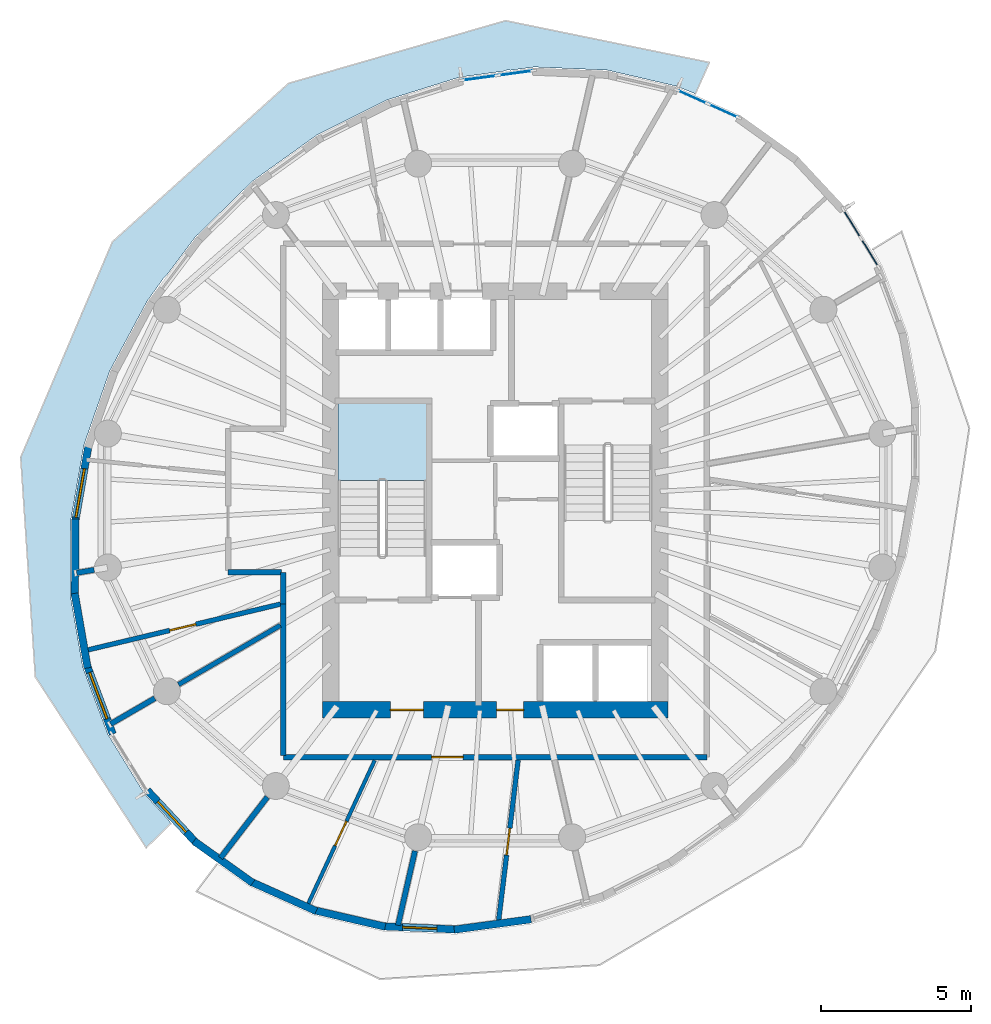
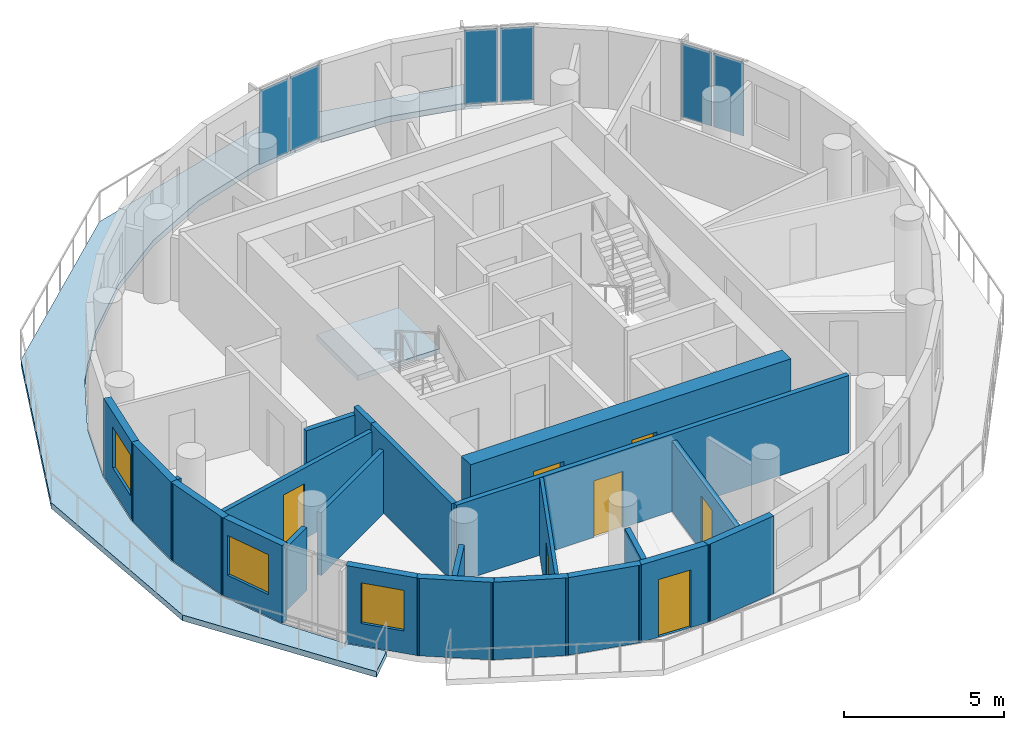
# One storey, part 4 of 10: 23 walls, 7 doors, 6 plates, 3 windows, 2 slabs, 10 openings, 4 elements without a shape of their own.
"""IFC4 building model written with IfcOpenShell, lengths in metres."""

from ifc_helpers import new_model, si_unit, direction, frame, frame_2d, origin, origin_2d, place, context, subcontext, project, spatial, polyline, rectangle, outline, extrude, material, layer, layer_set, type_object, element, fill, aggregate, save


model = new_model("IFC4")

# Units and contexts
model_context = context("Model", 3, precision=1e-05, world=origin(), true_north=direction((0.0, 1.0)))
body_context = subcontext(model_context, "Body", "Model", "MODEL_VIEW")
ifc_project = project(units=[si_unit("LENGTHUNIT", "METRE"), si_unit("AREAUNIT", "SQUARE_METRE"), si_unit("VOLUMEUNIT", "CUBIC_METRE"), si_unit("PLANEANGLEUNIT", "RADIAN"), si_unit("MASSUNIT", "GRAM", prefix="KILO")], contexts=[model_context])

# Site, building, storey
site_placement = place(None, origin())
site = spatial("IfcSite", under=ifc_project, at=site_placement, CompositionType="ELEMENT")
building_placement = place(site_placement, origin())
building = spatial("IfcBuilding", under=site, at=building_placement, Name="Veldorim Arch Residences", CompositionType="ELEMENT")
storey_placement = place(building_placement, frame((0.0, 0.0, 198.239990234375)))
storey = spatial("IfcBuildingStorey", under=building, at=storey_placement, Name="L59", CompositionType="ELEMENT", Elevation=198.239990234375)

# Slab
ifc_material_1 = material(Name="Concrete C40/50", Category="concrete")
ifc_layer_1 = layer(ifc_material_1, 0.219970703125, Name="Planted Crescent Cantilever Balcony Slab 220")
ifc_layer_set_1 = layer_set([ifc_layer_1], Name="Concrete C40/50")
slab_type_1 = type_object("IfcSlabType", Name="Planted Crescent Cantilever Balcony Slab 220", PredefinedType="FLOOR", material=ifc_layer_set_1)
slab_1_placement = place(storey_placement, frame((0.0, 0.0, -0.219970703125)))
element("IfcSlab", 1, at=slab_1_placement, inside=storey, type_object=slab_type_1, Name="L59 planted crescent balcony slab A", PredefinedType="FLOOR", context=body_context, shape_type="SweptSolid", body=[
    extrude(outline(polyline([(38.6943359375, 37.596923828125), (38.08203125, 37.847900390625), (35.75146484375, 38.38916015625), (33.30712890625, 38.4931640625), (32.510986328125, 38.38525390625), (32.41552734375, 38.3974609375), (32.296142578125, 38.356201171875), (30.8232421875, 38.156494140625), (28.37548828125, 37.39013671875), (26.03759765625, 36.216796875), (23.881103515625, 34.672607421875), (21.97119140625, 32.80419921875), (21.01513671875, 31.5322265625), (20.925537109375, 31.44921875), (20.365966796875, 30.66845703125), (19.114013671875, 28.330078125), (18.25341796875, 25.860107421875), (17.810302734375, 23.33349609375), (17.798095703125, 20.8271484375), (18.2177734375, 18.416748046875), (19.05615234375, 16.176025390625), (20.2880859375, 14.1728515625), (21.091552734375, 13.310546875), (21.154541015625, 13.1953125), (20.331787109375, 12.391845703125), (16.625, 18.103515625), (16.1357421875, 25.444091796875), (19.202880859375, 32.650146484375), (25.09033203125, 37.9462890625), (32.3486328125, 40.043701171875), (39.163330078125, 38.64697265625), (38.6943359375, 37.596923828125)])), origin(), (0.0, 0.0, 1.0), 0.219970703125),
])

# Stair, slab
ifc_material_2 = material(Name="Concrete C40/50", Category="concrete")
stair_type = type_object("IfcStairType", Name="Reinforced Concrete Dogleg Exit Staircase", PredefinedType="HALF_TURN_STAIR", material=ifc_material_2)
stair_placement = place(storey_placement, origin())
stair = element("IfcStair", 2, at=stair_placement, inside=storey, type_object=stair_type, Name="L59 Exit Staircase ST-1", PredefinedType="HALF_TURN_STAIR")
ifc_material_3 = material(Name="Concrete C40/50", Category="concrete")
ifc_layer_2 = layer(ifc_material_3, 0.199951171875, Name="Reinforced Concrete Stair Landing 200")
ifc_layer_set_2 = layer_set([ifc_layer_2], Name="Concrete C40/50")
slab_type_2 = type_object("IfcSlabType", Name="Reinforced Concrete Stair Landing 200", PredefinedType="LANDING", material=ifc_layer_set_2)
slab_2_placement = place(storey_placement, frame((0.0, 0.0, 1.39990234375)))
slab_2 = element("IfcSlab", 3, at=slab_2_placement, type_object=slab_type_2, Name="ST-1 landing 1", PredefinedType="LANDING", context=body_context, shape_type="SweptSolid", body=[
    extrude(outline(polyline([(29.7099609375, 24.669921875), (29.7099609375, 27.25), (26.75, 27.25), (26.75, 24.669921875), (29.7099609375, 24.669921875)])), origin(), (0.0, 0.0, 1.0), 0.2001953125),
])
aggregate(stair, [slab_2])

# Curtain wall, plates
ifc_material_4 = material(Name="Aluminium", Category="aluminium")
curtain_wall_type = type_object("IfcCurtainWallType", Name="Zone 4 High-Altitude Unitised Curtain Wall", PredefinedType="NOTDEFINED", material=ifc_material_4)
curtain_wall_1_placement = place(storey_placement, origin())
curtain_wall_1 = element("IfcCurtainWall", 4, at=curtain_wall_1_placement, inside=storey, type_object=curtain_wall_type, Name="L59 unitised curtain wall bay 02", PredefinedType="NOTDEFINED")
ifc_material_5 = material(Name="Laminated Low-E Glass", Category="glass")
ifc_layer_3 = layer(ifc_material_5, 0.030029296875, Name="Zone 4 High-Altitude Unitised Curtain Wall Glazing Panel 30")
ifc_layer_set_3 = layer_set([ifc_layer_3], Name="Laminated Low-E Glass")
plate_type = type_object("IfcPlateType", Name="Zone 4 High-Altitude Unitised Curtain Wall Glazing Panel 30", PredefinedType="CURTAIN_PANEL", material=ifc_layer_set_3)
plate_1_placement = place(storey_placement, frame((38.58984375, 37.494384765625, 0.074951171875), z_axis=(0.0, 0.0, 1.0), x_axis=(0.912467637133, -0.409148886329, 0.0)))
plate_1 = element("IfcPlate", 5, at=plate_1_placement, type_object=plate_type, Name="CW-Z4 panel 1.1", PredefinedType="CURTAIN_PANEL", context=body_context, shape_type="SweptSolid", body=[
    extrude(rectangle(XDim=1.060791015625, YDim=0.030029296875, at=origin_2d()), origin(), (0.0, 0.0, 1.0), 2.81005859375),
])
plate_2_placement = place(storey_placement, frame((39.626220703125, 37.029541015625, 0.074951171875), z_axis=(0.0, 0.0, 1.0), x_axis=(0.912467637133, -0.409148886329, 0.0)))
plate_2 = element("IfcPlate", 6, at=plate_2_placement, type_object=plate_type, Name="CW-Z4 panel 2.1", PredefinedType="CURTAIN_PANEL", context=body_context, shape_type="SweptSolid", body=[
    extrude(rectangle(XDim=1.060791015625, YDim=0.030029296875, at=origin_2d()), origin(), (0.0, 0.0, 1.0), 2.81005859375),
])
aggregate(curtain_wall_1, [plate_1, plate_2])

curtain_wall_2_placement = place(storey_placement, origin())
curtain_wall_2 = element("IfcCurtainWall", 7, at=curtain_wall_2_placement, inside=storey, type_object=curtain_wall_type, Name="L59 unitised curtain wall bay 05", PredefinedType="NOTDEFINED")
plate_3_placement = place(storey_placement, frame((31.479248046875, 38.12939453125, 0.074951171875), z_axis=(0.0, 0.0, 1.0), x_axis=(0.990948225119, 0.134244609331, 0.0)))
plate_3 = element("IfcPlate", 8, at=plate_3_placement, type_object=plate_type, Name="CW-Z4 panel 1.1", PredefinedType="CURTAIN_PANEL", context=body_context, shape_type="SweptSolid", body=[
    extrude(rectangle(XDim=1.138671875, YDim=0.030029296875, at=origin_2d()), origin(), (0.0, 0.0, 1.0), 2.81005859375),
])
plate_4_placement = place(storey_placement, frame((32.681884765625, 38.292236328125, 0.074951171875), z_axis=(0.0, 0.0, 1.0), x_axis=(0.990948225119, 0.134244609331, 0.0)))
plate_4 = element("IfcPlate", 9, at=plate_4_placement, type_object=plate_type, Name="CW-Z4 panel 2.1", PredefinedType="CURTAIN_PANEL", context=body_context, shape_type="SweptSolid", body=[
    extrude(rectangle(XDim=1.138671875, YDim=0.030029296875, at=origin_2d()), origin(), (0.0, 0.0, 1.0), 2.81005859375),
])
aggregate(curtain_wall_2, [plate_3, plate_4])

curtain_wall_3_placement = place(storey_placement, origin())
curtain_wall_3 = element("IfcCurtainWall", 10, at=curtain_wall_3_placement, inside=storey, type_object=curtain_wall_type, Name="L59 unitised curtain wall bay 35", PredefinedType="NOTDEFINED")
plate_5_placement = place(storey_placement, frame((43.932373046875, 33.249267578125, 0.074951171875), z_axis=(0.0, 0.0, 1.0), x_axis=(0.523864415023, -0.851801663929, 0.0)))
plate_5 = element("IfcPlate", 11, at=plate_5_placement, type_object=plate_type, Name="CW-Z4 panel 1.1", PredefinedType="CURTAIN_PANEL", context=body_context, shape_type="SweptSolid", body=[
    extrude(rectangle(XDim=1.060791015625, YDim=0.030029296875, at=origin_2d()), origin(), (0.0, 0.0, 1.0), 2.81005859375),
])
plate_6_placement = place(storey_placement, frame((44.52734375, 32.28173828125, 0.074951171875), z_axis=(0.0, 0.0, 1.0), x_axis=(0.523864415023, -0.851801663929, 0.0)))
plate_6 = element("IfcPlate", 12, at=plate_6_placement, type_object=plate_type, Name="CW-Z4 panel 2.1", PredefinedType="CURTAIN_PANEL", context=body_context, shape_type="SweptSolid", body=[
    extrude(rectangle(XDim=1.060791015625, YDim=0.030029296875, at=origin_2d()), origin(), (0.0, 0.0, 1.0), 2.81005859375),
])
aggregate(curtain_wall_3, [plate_5, plate_6])

# Wall, opening, door
ifc_material_6 = material(Name="Acoustic Gypsum Board", Category="gypsum")
ifc_layer_4 = layer(ifc_material_6, 0.125, Name="Acoustic Stud Room Partition Wall 125")
ifc_layer_set_4 = layer_set([ifc_layer_4], Name="Acoustic Gypsum Board")
wall_type_1 = type_object("IfcWallType", Name="Acoustic Stud Room Partition Wall 125", PredefinedType="PARTITIONING", material=ifc_layer_set_4)
wall_1_placement = place(storey_placement, frame((25.70751953125, 10.427001953125, 0.0), z_axis=(0.0, 0.0, 1.0), x_axis=(0.420587579127, 0.907251943114, 0.0)))
wall_1 = element("IfcWall", 13, at=wall_1_placement, inside=storey, type_object=wall_type_1, Name="L59 interior wall WL-RES-L59-012", PredefinedType="PARTITIONING", context=body_context, shape_type="SweptSolid", body=[
    extrude(rectangle(XDim=5.38330078125, YDim=0.125, at=frame_2d((2.691650390625, 0.0))), origin(), (0.0, 0.0, 1.0), 2.955078125),
])
opening_1_placement = place(wall_1_placement, frame((2.24169921875, 0.0, 0.0)))
opening_1 = element("IfcOpeningElement", 14, at=opening_1_placement, cuts=wall_1, Name="Opening DR-INT", PredefinedType="OPENING", context=body_context, shape_type="SweptSolid", body=[
    extrude(rectangle(XDim=0.89990234375, YDim=2.10009765625, at=frame_2d((0.449951171875, 1.050048828125))), frame((0.0, 0.072509765625, 0.0), z_axis=(0.0, -1.0, 0.0), x_axis=(1.0, 0.0, 0.0)), (0.0, 0.0, 1.0), 0.14501953125),
])
ifc_material_7 = material(Name="Engineered Timber", Category="wood")
door_type_1 = type_object("IfcDoorType", Name="Apartment Internal Room Timber Door 900x2100", OperationType="SINGLE_SWING_LEFT", PredefinedType="DOOR", material=ifc_material_7)
door_1_placement = place(opening_1_placement, origin())
door_1 = element("IfcDoor", 15, at=door_1_placement, inside=storey, type_object=door_type_1, Name="L59 interior door DR-RES-L59-003", OperationType="SINGLE_SWING_LEFT", OverallHeight=2.10009765625, OverallWidth=0.89990234375, PredefinedType="DOOR", context=body_context, shape_type="SweptSolid", body=[
    extrude(rectangle(XDim=0.89990234375, YDim=2.10009765625, at=frame_2d((0.449951171875, 1.050048828125))), frame((0.0, 0.02490234375, 0.0), z_axis=(0.0, -1.0, 0.0), x_axis=(1.0, 0.0, 0.0)), (0.0, 0.0, 1.0), 0.050048828125),
])
fill(opening_1, door_1)

# Walls
ifc_material_8 = material(Name="Lightweight Masonry Block & Gypsum", Category="masonry")
ifc_layer_5 = layer(ifc_material_8, 0.179931640625, Name="Compartment & Corridor Fire-Rated Party Wall 180")
ifc_layer_set_5 = layer_set([ifc_layer_5], Name="Lightweight Masonry Block & Gypsum")
wall_type_2 = type_object("IfcWallType", Name="Compartment & Corridor Fire-Rated Party Wall 180", PredefinedType="PARTITIONING", material=ifc_layer_set_5)
wall_2_placement = place(storey_placement, frame((18.590576171875, 21.680419921875, 0.0), z_axis=(0.0, 0.0, 1.0), x_axis=(-0.985338517658, -0.170610684362, 0.0)))
element("IfcWall", 16, at=wall_2_placement, inside=storey, type_object=wall_type_2, Name="L59 interior wall WL-PIER-L59-09", PredefinedType="PARTITIONING", context=body_context, shape_type="SweptSolid", body=[
    extrude(rectangle(XDim=0.592529296875, YDim=0.179931640625, at=frame_2d((0.29638671875, 0.0))), origin(), (0.0, 0.0, 1.0), 2.4033203125),
])
wall_3_placement = place(storey_placement, frame((20.6181640625, 17.385986328125, 0.0), z_axis=(0.0, 0.0, 1.0), x_axis=(-0.864618511529, -0.502428929821, 0.0)))
element("IfcWall", 17, at=wall_3_placement, inside=storey, type_object=wall_type_2, Name="L59 interior wall WL-PIER-L59-10", PredefinedType="PARTITIONING", context=body_context, shape_type="SweptSolid", body=[
    extrude(rectangle(XDim=1.7060546875, YDim=0.179931640625, at=frame_2d((0.85302734375, 0.0))), origin(), (0.0, 0.0, 1.0), 2.4033203125),
])
wall_4_placement = place(storey_placement, frame((24.380126953125, 14.08203125, 0.0), z_axis=(0.0, 0.0, 1.0), x_axis=(-0.60921849036, -0.79300241551, 0.0)))
element("IfcWall", 18, at=wall_4_placement, inside=storey, type_object=wall_type_2, Name="L59 interior wall WL-PIER-L59-11", PredefinedType="PARTITIONING", context=body_context, shape_type="SweptSolid", body=[
    extrude(rectangle(XDim=2.565185546875, YDim=0.179931640625, at=frame_2d((1.28271484375, 0.0))), origin(), (0.0, 0.0, 1.0), 2.4033203125),
])
wall_5_placement = place(storey_placement, frame((29.320068359375, 12.282470703125, 0.0), z_axis=(0.0, 0.0, 1.0), x_axis=(-0.22299363946, -0.974819899654, 0.0)))
element("IfcWall", 19, at=wall_5_placement, inside=storey, type_object=wall_type_2, Name="L59 interior wall WL-PIER-L59-12", PredefinedType="PARTITIONING", context=body_context, shape_type="SweptSolid", body=[
    extrude(rectangle(XDim=2.552001953125, YDim=0.179931640625, at=frame_2d((1.27587890625, 0.0))), origin(), (0.0, 0.0, 1.0), 2.4033203125),
])

# Wall, opening, door
wall_6_placement = place(storey_placement, frame((39.080078125, 15.419921875, 0.0), z_axis=(0.0, 0.0, 1.0), x_axis=(-1.0, 0.0, 0.0)))
wall_6 = element("IfcWall", 20, at=wall_6_placement, inside=storey, type_object=wall_type_2, Name="L59 interior wall WL-RES-L59-001", PredefinedType="PARTITIONING", context=body_context, shape_type="SweptSolid", body=[
    extrude(rectangle(XDim=14.16015625, YDim=0.179931640625, at=frame_2d((7.080078125, 0.0))), origin(), (0.0, 0.0, 1.0), 2.955078125),
])
opening_2_placement = place(wall_6_placement, frame((8.155029296875, 0.0, 0.0)))
opening_2 = element("IfcOpeningElement", 21, at=opening_2_placement, cuts=wall_6, Name="Opening DR-FLT", PredefinedType="OPENING", context=body_context, shape_type="SweptSolid", body=[
    extrude(rectangle(XDim=1.050048828125, YDim=2.14990234375, at=frame_2d((0.52490234375, 1.074951171875))), frame((0.0, 0.099853515625, 0.0), z_axis=(0.0, -1.0, 0.0), x_axis=(1.0, 0.0, 0.0)), (0.0, 0.0, 1.0), 0.199951171875),
])
ifc_material_9 = material(Name="Fire-Rated Timber", Category="wood")
door_type_2 = type_object("IfcDoorType", Name="Apartment Entrance Solid-Core Fire Door 1050x2150", OperationType="SINGLE_SWING_LEFT", PredefinedType="DOOR", material=ifc_material_9)
door_2_placement = place(opening_2_placement, origin())
door_2 = element("IfcDoor", 22, at=door_2_placement, inside=storey, type_object=door_type_2, Name="L59 interior door DR-RES-L59-001", OperationType="SINGLE_SWING_LEFT", OverallHeight=2.14990234375, OverallWidth=1.050048828125, PredefinedType="DOOR", context=body_context, shape_type="SweptSolid", body=[
    extrude(rectangle(XDim=1.050048828125, YDim=2.14990234375, at=frame_2d((0.52490234375, 1.074951171875))), frame((0.0, 0.02490234375, 0.0), z_axis=(0.0, -1.0, 0.0), x_axis=(1.0, 0.0, 0.0)), (0.0, 0.0, 1.0), 0.050048828125),
])
fill(opening_2, door_2)

# Walls
wall_7_placement = place(storey_placement, frame((24.919921875, 15.47998046875, 0.0), z_axis=(0.0, 0.0, 1.0), x_axis=(0.0, 1.0, 0.0)))
element("IfcWall", 23, at=wall_7_placement, inside=storey, type_object=wall_type_2, Name="L59 interior wall WL-RES-L59-002", PredefinedType="PARTITIONING", context=body_context, shape_type="SweptSolid", body=[
    extrude(rectangle(XDim=5.099609375, YDim=0.179931640625, at=frame_2d((2.5498046875, 0.0))), origin(), (0.0, 0.0, 1.0), 2.955078125),
])
wall_8_placement = place(storey_placement, frame((24.919921875, 20.5390625, 0.0), z_axis=(0.0, 0.0, 1.0), x_axis=(0.0, 1.0, 0.0)))
element("IfcWall", 24, at=wall_8_placement, inside=storey, type_object=wall_type_2, Name="L59 interior wall WL-RES-L59-006", PredefinedType="PARTITIONING", context=body_context, shape_type="SweptSolid", body=[
    extrude(rectangle(XDim=1.06103515625, YDim=0.179931640625, at=frame_2d((0.530517578125, 0.0))), origin(), (0.0, 0.0, 1.0), 2.955078125),
])
wall_9_placement = place(storey_placement, frame((24.860107421875, 21.60009765625, 0.0), z_axis=(0.0, 0.0, 1.0), x_axis=(-1.0, 0.0, 0.0)))
element("IfcWall", 25, at=wall_9_placement, inside=storey, type_object=wall_type_2, Name="L59 interior wall WL-RES-L59-007", PredefinedType="PARTITIONING", context=body_context, shape_type="SweptSolid", body=[
    extrude(rectangle(XDim=1.7900390625, YDim=0.179931640625, at=frame_2d((0.89501953125, 0.0))), origin(), (0.0, 0.0, 1.0), 2.69189453125),
])

# Wall, opening, window
ifc_material_10 = material(Name="Precast concrete C40/50", Category="concrete")
ifc_layer_6 = layer(ifc_material_10, 0.25, Name="Tower Terracotta Spandrel & Pier Wall 250")
ifc_layer_set_6 = layer_set([ifc_layer_6], Name="Precast concrete C40/50")
wall_type_3 = type_object("IfcWallType", Name="Tower Terracotta Spandrel & Pier Wall 250", PredefinedType="SOLIDWALL", material=ifc_layer_set_6)
wall_10_placement = place(storey_placement, frame((17.950439453125, 23.265380859375, 0.0), z_axis=(0.0, 0.0, 1.0), x_axis=(0.172755592744, 0.984964722808, 0.0)))
wall_10 = element("IfcWall", 26, at=wall_10_placement, inside=storey, type_object=wall_type_3, Name="L59 terracotta facade wall 13", PredefinedType="SOLIDWALL", context=body_context, shape_type="SweptSolid", body=[
    extrude(rectangle(XDim=2.651123046875, YDim=0.25, at=frame_2d((1.32568359375, 0.0))), origin(), (0.0, 0.0, 1.0), 2.9599609375),
])
opening_3_placement = place(wall_10_placement, frame((0.175048828125, 0.0, 0.85009765625)))
opening_3 = element("IfcOpeningElement", 27, at=opening_3_placement, cuts=wall_10, Name="Opening WN-03", PredefinedType="OPENING", context=body_context, shape_type="SweptSolid", body=[
    extrude(rectangle(XDim=1.64990234375, YDim=1.550048828125, at=frame_2d((0.824951171875, 0.77490234375))), frame((0.0, 0.135009765625, 0.0), z_axis=(0.0, -1.0, 0.0), x_axis=(1.0, 0.0, 0.0)), (0.0, 0.0, 1.0), 0.27001953125),
])
ifc_material_11 = material(Name="Laminated Low-E Glass", Category="glass")
window_type_1 = type_object("IfcWindowType", Name="Residential Wide Window 1650x1550", PartitioningType="SINGLE_PANEL", PredefinedType="WINDOW", material=ifc_material_11)
window_1_placement = place(opening_3_placement, origin())
window_1 = element("IfcWindow", 28, at=window_1_placement, inside=storey, type_object=window_type_1, Name="L59 solar-control facade window 13", OverallHeight=1.550048828125, OverallWidth=1.64990234375, PartitioningType="SINGLE_PANEL", PredefinedType="WINDOW", context=body_context, shape_type="SweptSolid", body=[
    extrude(rectangle(XDim=1.64990234375, YDim=1.550048828125, at=frame_2d((0.824951171875, 0.77490234375))), frame((0.0, 0.030029296875, 0.0), z_axis=(0.0, -1.0, 0.0), x_axis=(1.0, 0.0, 0.0)), (0.0, 0.0, 1.0), 0.06005859375),
])
fill(opening_3, window_1)

# Walls
wall_11_placement = place(storey_placement, frame((17.947998046875, 20.78369140625, 0.0), z_axis=(0.0, 0.0, 1.0), x_axis=(0.004803561421, 0.999988462832, 0.0)))
element("IfcWall", 29, at=wall_11_placement, inside=storey, type_object=wall_type_3, Name="L59 terracotta facade wall 14", PredefinedType="SOLIDWALL", context=body_context, shape_type="SweptSolid", body=[
    extrude(rectangle(XDim=2.592041015625, YDim=0.25, at=frame_2d((1.2958984375, 0.0))), origin(), (0.0, 0.0, 1.0), 2.9599609375),
])
wall_12_placement = place(storey_placement, frame((18.372802734375, 18.400390625, 0.0), z_axis=(0.0, 0.0, 1.0), x_axis=(-0.17143069214, 0.985196182388, 0.0)))
element("IfcWall", 30, at=wall_12_placement, inside=storey, type_object=wall_type_3, Name="L59 terracotta facade wall 15", PredefinedType="SOLIDWALL", context=body_context, shape_type="SweptSolid", body=[
    extrude(rectangle(XDim=2.5322265625, YDim=0.25, at=frame_2d((1.26611328125, 0.0))), origin(), (0.0, 0.0, 1.0), 2.9599609375),
])

# Wall, opening, window
wall_13_placement = place(storey_placement, frame((19.21142578125, 16.188720703125, 0.0), z_axis=(0.0, 0.0, 1.0), x_axis=(-0.350367491805, 0.93661231077, 0.0)))
wall_13 = element("IfcWall", 31, at=wall_13_placement, inside=storey, type_object=wall_type_3, Name="L59 terracotta facade wall 16", PredefinedType="SOLIDWALL", context=body_context, shape_type="SweptSolid", body=[
    extrude(rectangle(XDim=2.477783203125, YDim=0.25, at=frame_2d((1.23876953125, 0.0))), origin(), (0.0, 0.0, 1.0), 2.9599609375),
])
opening_4_placement = place(wall_13_placement, frame((0.550048828125, 0.0, 0.85009765625)))
opening_4 = element("IfcOpeningElement", 32, at=opening_4_placement, cuts=wall_13, Name="Opening WN-03", PredefinedType="OPENING", context=body_context, shape_type="SweptSolid", body=[
    extrude(rectangle(XDim=1.64990234375, YDim=1.52001953125, at=frame_2d((0.824951171875, 0.760009765625))), frame((0.0, 0.135009765625, 0.0), z_axis=(0.0, -1.0, 0.0), x_axis=(1.0, 0.0, 0.0)), (0.0, 0.0, 1.0), 0.27001953125),
])
window_2_placement = place(opening_4_placement, origin())
window_2 = element("IfcWindow", 33, at=window_2_placement, inside=storey, type_object=window_type_1, Name="L59 solar-control facade window 16", OverallHeight=1.52001953125, OverallWidth=1.64990234375, PartitioningType="SINGLE_PANEL", PredefinedType="WINDOW", context=body_context, shape_type="SweptSolid", body=[
    extrude(rectangle(XDim=1.64990234375, YDim=1.52001953125, at=frame_2d((0.824951171875, 0.760009765625))), frame((0.0, 0.030029296875, 0.0), z_axis=(0.0, -1.0, 0.0), x_axis=(1.0, 0.0, 0.0)), (0.0, 0.0, 1.0), 0.06005859375),
])
fill(opening_4, window_2)

wall_14_placement = place(storey_placement, frame((22.014892578125, 12.539306640625, 0.0), z_axis=(0.0, 0.0, 1.0), x_axis=(-0.681640731319, 0.731687032417, 0.0)))
wall_14 = element("IfcWall", 34, at=wall_14_placement, inside=storey, type_object=wall_type_3, Name="L59 terracotta facade wall 18", PredefinedType="SOLIDWALL", context=body_context, shape_type="SweptSolid", body=[
    extrude(rectangle(XDim=2.414794921875, YDim=0.25, at=frame_2d((1.20751953125, 0.0))), origin(), (0.0, 0.0, 1.0), 2.9599609375),
])
opening_5_placement = place(wall_14_placement, frame((0.507080078125, 0.0, 0.85009765625)))
opening_5 = element("IfcOpeningElement", 35, at=opening_5_placement, cuts=wall_14, Name="Opening WN-02", PredefinedType="OPENING", context=body_context, shape_type="SweptSolid", body=[
    extrude(rectangle(XDim=1.39990234375, YDim=1.550048828125, at=frame_2d((0.699951171875, 0.77490234375))), frame((0.0, 0.135009765625, 0.0), z_axis=(0.0, -1.0, 0.0), x_axis=(1.0, 0.0, 0.0)), (0.0, 0.0, 1.0), 0.27001953125),
])
ifc_material_12 = material(Name="Laminated Low-E Glass", Category="glass")
window_type_2 = type_object("IfcWindowType", Name="Residential Casement Window 1400x1550", PartitioningType="SINGLE_PANEL", PredefinedType="WINDOW", material=ifc_material_12)
window_3_placement = place(opening_5_placement, origin())
window_3 = element("IfcWindow", 36, at=window_3_placement, inside=storey, type_object=window_type_2, Name="L59 solar-control facade window 18", OverallHeight=1.550048828125, OverallWidth=1.39990234375, PartitioningType="SINGLE_PANEL", PredefinedType="WINDOW", context=body_context, shape_type="SweptSolid", body=[
    extrude(rectangle(XDim=1.39990234375, YDim=1.550048828125, at=frame_2d((0.699951171875, 0.77490234375))), frame((0.0, 0.030029296875, 0.0), z_axis=(0.0, -1.0, 0.0), x_axis=(1.0, 0.0, 0.0)), (0.0, 0.0, 1.0), 0.06005859375),
])
fill(opening_5, window_3)

# Walls
wall_15_placement = place(storey_placement, frame((23.893798828125, 11.211669921875, 0.0), z_axis=(0.0, 0.0, 1.0), x_axis=(-0.813794949485, 0.581152114504, 0.0)))
element("IfcWall", 37, at=wall_15_placement, inside=storey, type_object=wall_type_3, Name="L59 terracotta facade wall 19", PredefinedType="SOLIDWALL", context=body_context, shape_type="SweptSolid", body=[
    extrude(rectangle(XDim=2.414794921875, YDim=0.25, at=frame_2d((1.20751953125, 0.0))), origin(), (0.0, 0.0, 1.0), 2.9599609375),
])
wall_16_placement = place(storey_placement, frame((26.01806640625, 10.271484375, 0.0), z_axis=(0.0, 0.0, 1.0), x_axis=(-0.912451283158, 0.409185356365, 0.0)))
element("IfcWall", 38, at=wall_16_placement, inside=storey, type_object=wall_type_3, Name="L59 terracotta facade wall 20", PredefinedType="SOLIDWALL", context=body_context, shape_type="SweptSolid", body=[
    extrude(rectangle(XDim=2.436767578125, YDim=0.25, at=frame_2d((1.21826171875, 0.0))), origin(), (0.0, 0.0, 1.0), 2.9599609375),
])
wall_17_placement = place(storey_placement, frame((28.323974609375, 9.747314453125, 0.0), z_axis=(0.0, 0.0, 1.0), x_axis=(-0.974096425092, 0.226133046286, 0.0)))
element("IfcWall", 39, at=wall_17_placement, inside=storey, type_object=wall_type_3, Name="L59 terracotta facade wall 21", PredefinedType="SOLIDWALL", context=body_context, shape_type="SweptSolid", body=[
    extrude(rectangle(XDim=2.477783203125, YDim=0.25, at=frame_2d((1.23876953125, 0.0))), origin(), (0.0, 0.0, 1.0), 2.9599609375),
])

# Wall, opening, door
wall_18_placement = place(storey_placement, frame((30.741943359375, 9.655029296875, 0.0), z_axis=(0.0, 0.0, 1.0), x_axis=(-0.999099670747, 0.042424614469, 0.0)))
wall_18 = element("IfcWall", 40, at=wall_18_placement, inside=storey, type_object=wall_type_3, Name="L59 terracotta facade wall 22", PredefinedType="SOLIDWALL", context=body_context, shape_type="SweptSolid", body=[
    extrude(rectangle(XDim=2.531982421875, YDim=0.25, at=frame_2d((1.26611328125, 0.0))), origin(), (0.0, 0.0, 1.0), 2.9599609375),
])
opening_6_placement = place(wall_18_placement, frame((0.69091796875, 0.0, 0.0)))
opening_6 = element("IfcOpeningElement", 41, at=opening_6_placement, cuts=wall_18, Name="Opening BL-DR", PredefinedType="OPENING", context=body_context, shape_type="SweptSolid", body=[
    extrude(rectangle(XDim=1.14990234375, YDim=2.199951171875, at=frame_2d((0.574951171875, 1.10009765625))), frame((0.0, 0.135009765625, 0.0), z_axis=(0.0, -1.0, 0.0), x_axis=(1.0, 0.0, 0.0)), (0.0, 0.0, 1.0), 0.27001953125),
])
ifc_material_13 = material(Name="Aluminium & Low-E Glass", Category="aluminium")
door_type_3 = type_object("IfcDoorType", Name="Glazed Planted Balcony Door 1150x2200", OperationType="SINGLE_SWING_LEFT", PredefinedType="DOOR", material=ifc_material_13)
door_3_placement = place(opening_6_placement, origin())
door_3 = element("IfcDoor", 42, at=door_3_placement, inside=storey, type_object=door_type_3, Name="L59 glazed outdoor terrace door BALC-2", OperationType="SINGLE_SWING_RIGHT", OverallHeight=2.199951171875, OverallWidth=1.14990234375, PredefinedType="DOOR", context=body_context, shape_type="SweptSolid", body=[
    extrude(rectangle(XDim=1.14990234375, YDim=2.199951171875, at=frame_2d((0.574951171875, 1.10009765625))), frame((0.0, 0.02490234375, 0.0), z_axis=(0.0, -1.0, 0.0), x_axis=(1.0, 0.0, 0.0)), (0.0, 0.0, 1.0), 0.050048828125),
])
fill(opening_6, door_3)

# Wall
wall_19_placement = place(storey_placement, frame((33.198974609375, 9.997802734375, 0.0), z_axis=(0.0, 0.0, 1.0), x_axis=(-0.990951844978, -0.134217886046, 0.0)))
element("IfcWall", 43, at=wall_19_placement, inside=storey, type_object=wall_type_3, Name="L59 terracotta facade wall 23", PredefinedType="SOLIDWALL", context=body_context, shape_type="SweptSolid", body=[
    extrude(rectangle(XDim=2.592041015625, YDim=0.25, at=frame_2d((1.2958984375, 0.0))), origin(), (0.0, 0.0, 1.0), 2.9599609375),
])

# Wall, openings, doors
ifc_material_14 = material(Name="Concrete C50/60", Category="concrete")
ifc_layer_7 = layer(ifc_material_14, 0.5, Name="Upper Central Core Shear Wall 560")
ifc_layer_set_7 = layer_set([ifc_layer_7], Name="Concrete C50/60")
wall_type_4 = type_object("IfcWallType", Name="Upper Central Core Shear Wall 560", PredefinedType="SHEAR", material=ifc_layer_set_7)
wall_20_placement = place(storey_placement, frame((26.219970703125, 17.0, 0.0), z_axis=(0.0, 0.0, 1.0), x_axis=(1.0, 0.0, 0.0)))
wall_20 = element("IfcWall", 44, at=wall_20_placement, inside=storey, type_object=wall_type_4, Name="L59 central core south shear wall", PredefinedType="SHEAR", context=body_context, shape_type="SweptSolid", body=[
    extrude(rectangle(XDim=11.56005859375, YDim=0.56005859375, at=frame_2d((5.780029296875, 0.0))), origin(), (0.0, 0.0, 1.0), 3.199951171875),
])
opening_7_placement = place(wall_20_placement, frame((2.280029296875, 0.0, 0.0)))
opening_7 = element("IfcOpeningElement", 45, at=opening_7_placement, cuts=wall_20, Name="Opening DR-FFL", PredefinedType="OPENING", context=body_context, shape_type="SweptSolid", body=[
    extrude(rectangle(XDim=1.10009765625, YDim=2.14990234375, at=frame_2d((0.550048828125, 1.074951171875))), frame((0.0, 0.2900390625, 0.0), z_axis=(0.0, -1.0, 0.0), x_axis=(1.0, 0.0, 0.0)), (0.0, 0.0, 1.0), 0.580078125),
])
opening_8_placement = place(wall_20_placement, frame((5.830078125, 0.0, 0.0)))
opening_8 = element("IfcOpeningElement", 46, at=opening_8_placement, cuts=wall_20, Name="Opening DR-SVC", PredefinedType="OPENING", context=body_context, shape_type="SweptSolid", body=[
    extrude(rectangle(XDim=0.89990234375, YDim=2.10009765625, at=frame_2d((0.449951171875, 1.050048828125))), frame((0.0, 0.2900390625, 0.0), z_axis=(0.0, -1.0, 0.0), x_axis=(1.0, 0.0, 0.0)), (0.0, 0.0, 1.0), 0.580078125),
])
ifc_material_15 = material(Name="Fire-Rated Steel & Vision Glass", Category="steel")
door_type_4 = type_object("IfcDoorType", Name="Firefighting Lobby Smoke-Stop Fire Door 1100x2150", OperationType="SINGLE_SWING_LEFT", PredefinedType="DOOR", material=ifc_material_15)
door_4_placement = place(opening_7_placement, origin())
door_4 = element("IfcDoor", 47, at=door_4_placement, inside=storey, type_object=door_type_4, Name="L59 interior door DR-L59-FFL1", OperationType="SINGLE_SWING_RIGHT", OverallHeight=2.14990234375, OverallWidth=1.10009765625, PredefinedType="DOOR", context=body_context, shape_type="SweptSolid", body=[
    extrude(rectangle(XDim=1.10009765625, YDim=2.14990234375, at=frame_2d((0.550048828125, 1.074951171875))), frame((0.0, 0.02490234375, 0.0), z_axis=(0.0, -1.0, 0.0), x_axis=(1.0, 0.0, 0.0)), (0.0, 0.0, 1.0), 0.050048828125),
])
fill(opening_7, door_4)
ifc_material_16 = material(Name="Fire-Rated Steel", Category="steel")
door_type_5 = type_object("IfcDoorType", Name="Riser, Shelter & Plant Room Rated Steel Door 900x2100", OperationType="SINGLE_SWING_LEFT", PredefinedType="DOOR", material=ifc_material_16)
door_5_placement = place(opening_8_placement, origin())
door_5 = element("IfcDoor", 48, at=door_5_placement, inside=storey, type_object=door_type_5, Name="L59 interior door DR-L59-COR-ANC", OperationType="SINGLE_SWING_LEFT", OverallHeight=2.10009765625, OverallWidth=0.89990234375, PredefinedType="DOOR", context=body_context, shape_type="SweptSolid", body=[
    extrude(rectangle(XDim=0.89990234375, YDim=2.10009765625, at=frame_2d((0.449951171875, 1.050048828125))), frame((0.0, 0.02490234375, 0.0), z_axis=(0.0, -1.0, 0.0), x_axis=(1.0, 0.0, 0.0)), (0.0, 0.0, 1.0), 0.050048828125),
])
fill(opening_8, door_5)

# Wall, opening, door
ifc_material_17 = material(Name="Moisture-Resistant Gypsum & Stud", Category="gypsum")
ifc_layer_8 = layer(ifc_material_17, 0.159912109375, Name="Wet-Area Moisture-Resistant Plumbing Wall 160")
ifc_layer_set_8 = layer_set([ifc_layer_8], Name="Moisture-Resistant Gypsum & Stud")
wall_type_5 = type_object("IfcWallType", Name="Wet-Area Moisture-Resistant Plumbing Wall 160", PredefinedType="PLUMBINGWALL", material=ifc_layer_set_8)
wall_21_placement = place(storey_placement, frame((32.767578125, 15.32080078125, 0.0), z_axis=(0.0, 0.0, 1.0), x_axis=(-0.120556883214, -0.992706420806, 0.0)))
wall_21 = element("IfcWall", 49, at=wall_21_placement, inside=storey, type_object=wall_type_5, Name="L59 interior wall WL-RES-L59-011", PredefinedType="PLUMBINGWALL", context=body_context, shape_type="SweptSolid", body=[
    extrude(rectangle(XDim=5.49609375, YDim=0.159912109375, at=frame_2d((2.748046875, 0.0))), origin(), (0.0, 0.0, 1.0), 2.69189453125),
])
opening_9_placement = place(wall_21_placement, frame((2.2978515625, 0.0, 0.0)))
opening_9 = element("IfcOpeningElement", 50, at=opening_9_placement, cuts=wall_21, Name="Opening DR-WC", PredefinedType="OPENING", context=body_context, shape_type="SweptSolid", body=[
    extrude(rectangle(XDim=0.89990234375, YDim=2.10009765625, at=frame_2d((0.449951171875, 1.050048828125))), frame((0.0, 0.08984375, 0.0), z_axis=(0.0, -1.0, 0.0), x_axis=(1.0, 0.0, 0.0)), (0.0, 0.0, 1.0), 0.179931640625),
])
ifc_material_18 = material(Name="Laminate Timber", Category="wood")
door_type_6 = type_object("IfcDoorType", Name="Bathroom & Accessible WC Moisture-Sealed Door 900x2100", OperationType="SINGLE_SWING_LEFT", PredefinedType="DOOR", material=ifc_material_18)
door_6_placement = place(opening_9_placement, origin())
door_6 = element("IfcDoor", 51, at=door_6_placement, inside=storey, type_object=door_type_6, Name="L59 interior door DR-RES-L59-002", OperationType="SINGLE_SWING_RIGHT", OverallHeight=2.10009765625, OverallWidth=0.89990234375, PredefinedType="DOOR", context=body_context, shape_type="SweptSolid", body=[
    extrude(rectangle(XDim=0.89990234375, YDim=2.10009765625, at=frame_2d((0.449951171875, 1.050048828125))), frame((0.0, 0.02490234375, 0.0), z_axis=(0.0, -1.0, 0.0), x_axis=(1.0, 0.0, 0.0)), (0.0, 0.0, 1.0), 0.050048828125),
])
fill(opening_9, door_6)

# Wall
wall_22_placement = place(storey_placement, frame((21.41162109375, 17.846923828125, 0.0), z_axis=(0.0, 0.0, 1.0), x_axis=(0.864603029318, 0.502455571861, 0.0)))
element("IfcWall", 52, at=wall_22_placement, inside=storey, type_object=wall_type_5, Name="L59 interior wall WL-RES-L59-014", PredefinedType="PLUMBINGWALL", context=body_context, shape_type="SweptSolid", body=[
    extrude(rectangle(XDim=3.937744140625, YDim=0.159912109375, at=frame_2d((1.96875, 0.0))), origin(), (0.0, 0.0, 1.0), 2.4033203125),
])

# Wall, opening, door
wall_23_placement = place(storey_placement, frame((24.82275390625, 20.536376953125, 0.0), z_axis=(0.0, 0.0, 1.0), x_axis=(-0.972855711428, -0.231412542317, 0.0)))
wall_23 = element("IfcWall", 53, at=wall_23_placement, inside=storey, type_object=wall_type_5, Name="L59 interior wall WL-RES-L59-024", PredefinedType="PLUMBINGWALL", context=body_context, shape_type="SweptSolid", body=[
    extrude(rectangle(XDim=6.71826171875, YDim=0.159912109375, at=frame_2d((3.359130859375, 0.0))), origin(), (0.0, 0.0, 1.0), 2.69189453125),
])
opening_10_placement = place(wall_23_placement, frame((2.9091796875, 0.0, 0.0)))
opening_10 = element("IfcOpeningElement", 54, at=opening_10_placement, cuts=wall_23, Name="Opening DR-WC", PredefinedType="OPENING", context=body_context, shape_type="SweptSolid", body=[
    extrude(rectangle(XDim=0.89990234375, YDim=2.10009765625, at=frame_2d((0.449951171875, 1.050048828125))), frame((0.0, 0.08984375, 0.0), z_axis=(0.0, -1.0, 0.0), x_axis=(1.0, 0.0, 0.0)), (0.0, 0.0, 1.0), 0.179931640625),
])
door_7_placement = place(opening_10_placement, origin())
door_7 = element("IfcDoor", 55, at=door_7_placement, inside=storey, type_object=door_type_6, Name="L59 interior door DR-RES-L59-014", OperationType="SINGLE_SWING_RIGHT", OverallHeight=2.10009765625, OverallWidth=0.89990234375, PredefinedType="DOOR", context=body_context, shape_type="SweptSolid", body=[
    extrude(rectangle(XDim=0.89990234375, YDim=2.10009765625, at=frame_2d((0.449951171875, 1.050048828125))), frame((0.0, 0.02490234375, 0.0), z_axis=(0.0, -1.0, 0.0), x_axis=(1.0, 0.0, 0.0)), (0.0, 0.0, 1.0), 0.050048828125),
])
fill(opening_10, door_7)

save(model, "model.ifc")
